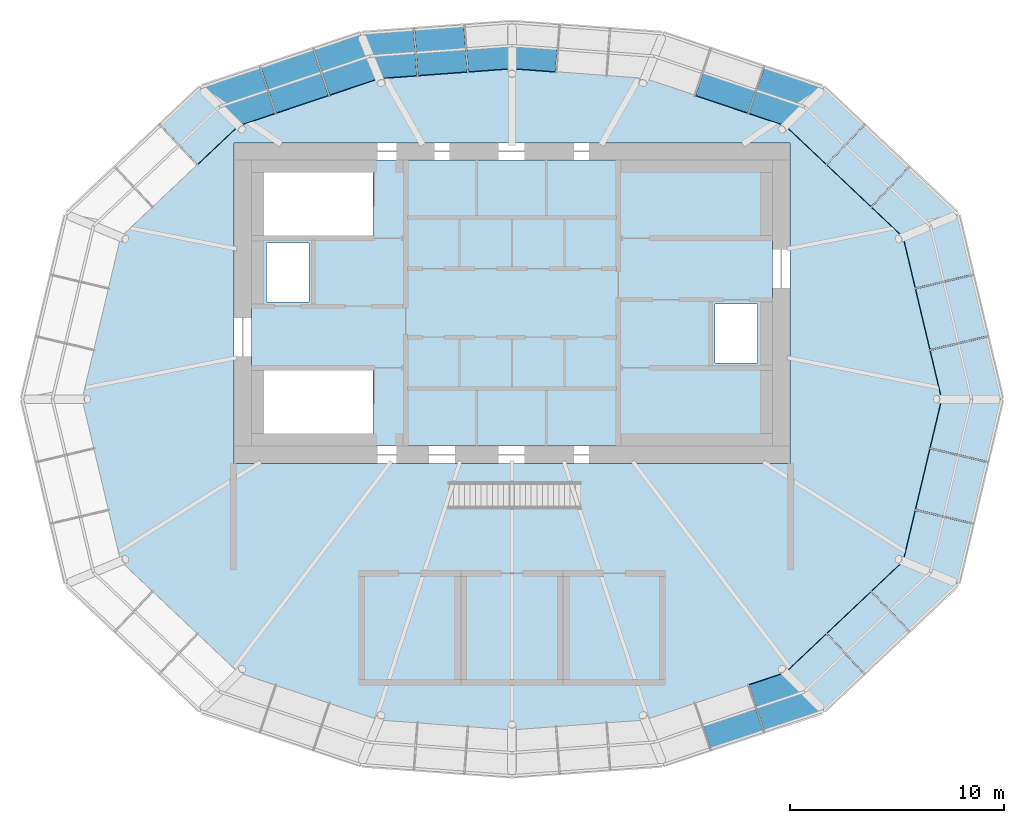
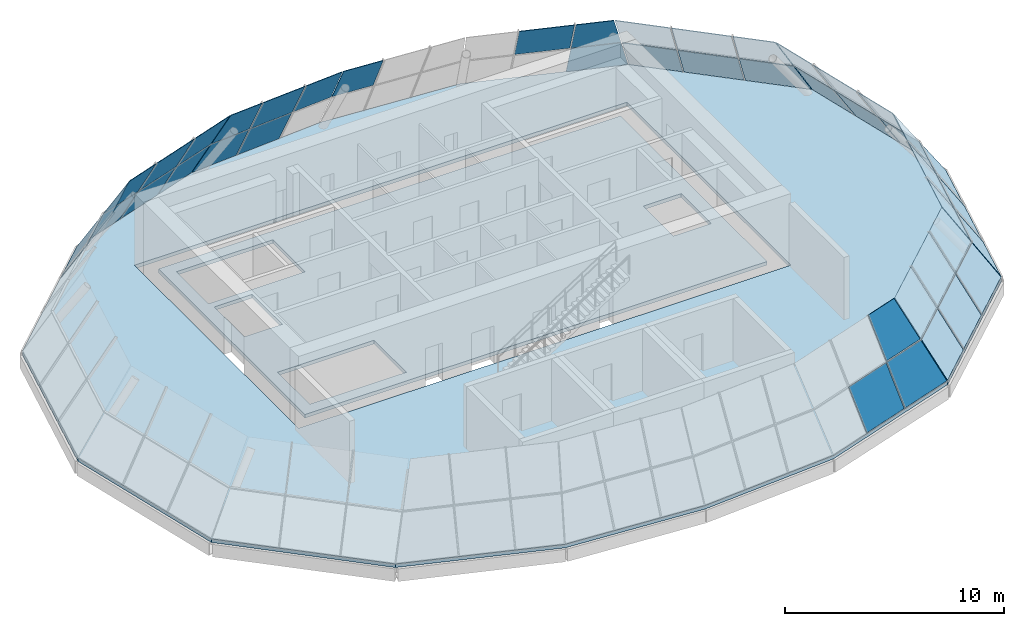
# One storey, part 4 of 8: 44 plates, 2 slabs, 10 elements without a shape of their own.
"""IFC4 building model written with IfcOpenShell, lengths in metres."""

import ifcopenshell
import ifcopenshell.guid

model = None  # the IFC model being written
_history = None  # IfcOwnerHistory: only IFC2X3 demands one
_inside = {}  # id of a spatial element -> (the spatial element, [elements in it])
_under = {}  # id of a project, library or spatial element -> (it, [spatial elements below it])
_declared = {}  # id of a project -> (the project, [libraries it declares])
_typed = {}  # id of a type object -> (the type object, [elements of that type])
_made_of = {}  # id of a material, layer set ... -> (it, [elements and type objects made of it])


def new_model(schema):
    """Start an empty IFC model of exactly this schema.

    Asked for "IFC4X3", IfcOpenShell would pick the latest addendum, in which some entities
    have other attributes; the version numbers below select the first issue.
    IFC2X3 requires an IfcOwnerHistory on every rooted entity: one is made here for all.
    """
    global model, _history
    if schema == "IFC4X3":
        model = ifcopenshell.file(schema_version=(4, 3, 0, 0))
    else:
        model = ifcopenshell.file(schema=schema)
    _inside.clear()
    _under.clear()
    _declared.clear()
    _typed.clear()
    _made_of.clear()
    _history = None
    if model.schema == "IFC2X3":
        org = make("IfcOrganization", Name="unknown")
        user = make(
            "IfcPersonAndOrganization",
            ThePerson=make("IfcPerson", FamilyName="unknown"),
            TheOrganization=org,
        )
        app = make(
            "IfcApplication",
            ApplicationDeveloper=org,
            Version="unknown",
            ApplicationFullName="unknown",
            ApplicationIdentifier="unknown",
        )
        _history = make(
            "IfcOwnerHistory",
            OwningUser=user,
            OwningApplication=app,
            ChangeAction="ADDED",
            CreationDate=0,
        )
    return model


def make(cls, **values):
    """One entity of the class cls with the attributes given. An attribute that is None is left unset."""
    return model.create_entity(
        cls, **{name: value for name, value in values.items() if value is not None}
    )


def rooted(cls, **values):
    """An entity with a GlobalId (a new one), such as an element, a storey or a relation."""
    return make(cls, GlobalId=ifcopenshell.guid.new(), OwnerHistory=_history, **values)


def si_unit(unit_type, name, prefix=None):
    """IfcSIUnit, for example si_unit("LENGTHUNIT", "METRE", prefix="MILLI")."""
    return make("IfcSIUnit", UnitType=unit_type, Prefix=prefix, Name=name)


def assignment(units):
    """IfcUnitAssignment: the units of a project."""
    return None if units is None else make("IfcUnitAssignment", Units=units)


def point(xyz):
    """IfcCartesianPoint."""
    return None if xyz is None else make("IfcCartesianPoint", Coordinates=xyz)


def direction(xyz):
    """IfcDirection."""
    return None if xyz is None else make("IfcDirection", DirectionRatios=xyz)


def frame(location, z_axis=None, x_axis=None):
    """IfcAxis2Placement3D, a coordinate frame: its origin and axes. An axis left out is left unset."""
    return make(
        "IfcAxis2Placement3D",
        Location=point(location),
        Axis=direction(z_axis),
        RefDirection=direction(x_axis),
    )


def origin():
    """The frame at (0, 0, 0) with its axes left unset."""
    return frame((0.0, 0.0, 0.0))


def place(relative_to, where):
    """IfcLocalPlacement: puts the frame where relative to a parent placement (None: the world)."""
    return make(
        "IfcLocalPlacement", PlacementRelTo=relative_to, RelativePlacement=where
    )


def context(
    kind, dimensions, precision=None, world=None, true_north=None, identifier=None
):
    """IfcGeometricRepresentationContext, for example the 3D "Model" context."""
    return make(
        "IfcGeometricRepresentationContext",
        ContextIdentifier=identifier,
        ContextType=kind,
        CoordinateSpaceDimension=dimensions,
        Precision=precision,
        WorldCoordinateSystem=world,
        TrueNorth=true_north,
    )


def subcontext(parent, identifier, kind, view, scale=None):
    """IfcGeometricRepresentationSubContext, for example "Body" below "Model"."""
    return make(
        "IfcGeometricRepresentationSubContext",
        ContextIdentifier=identifier,
        ContextType=kind,
        ParentContext=parent,
        TargetScale=scale,
        TargetView=view,
    )


def project(units=None, contexts=None):
    """IfcProject with its units and contexts."""
    return rooted(
        "IfcProject",
        Name="project",
        RepresentationContexts=contexts,
        UnitsInContext=assignment(units),
    )


def spatial(cls, under=None, at=None, **own):
    """A site, building, storey or space (cls), placed at a placement, below another one or the project."""
    s = rooted(cls, ObjectPlacement=at, **own)
    if under is not None:
        _under.setdefault(under.id(), (under, []))[1].append(s)
    return s


def polyline(points):
    """IfcPolyline through the points."""
    return make("IfcPolyline", Points=[point(p) for p in points])


def outline(outer, holes=None, kind="AREA"):
    """IfcArbitraryClosedProfileDef: a profile drawn as a closed curve; with holes, ...WithVoids."""
    if holes is None:
        return make("IfcArbitraryClosedProfileDef", ProfileType=kind, OuterCurve=outer)
    return make(
        "IfcArbitraryProfileDefWithVoids",
        ProfileType=kind,
        OuterCurve=outer,
        InnerCurves=holes,
    )


def extrude(swept, where, along, depth):
    """IfcExtrudedAreaSolid: the profile swept, set in the frame where, extruded along a direction by depth."""
    return make(
        "IfcExtrudedAreaSolid",
        SweptArea=swept,
        Position=where,
        ExtrudedDirection=direction(along),
        Depth=depth,
    )


def shape(context_of_items, identifier, shape_type, items):
    """IfcShapeRepresentation: the items that make up one representation, for example the "Body"."""
    return make(
        "IfcShapeRepresentation",
        ContextOfItems=context_of_items,
        RepresentationIdentifier=identifier,
        RepresentationType=shape_type,
        Items=items,
    )


def material(Name=None, Category=None):
    """IfcMaterial."""
    return make("IfcMaterial", Name=Name, Category=Category)


def layer(
    of_material, thickness, ventilated=None, Name=None, Category=None, Priority=None
):
    """IfcMaterialLayer: one layer of a wall or slab, of a material (None: an air gap)."""
    return make(
        "IfcMaterialLayer",
        Material=of_material,
        LayerThickness=thickness,
        IsVentilated=ventilated,
        Name=Name,
        Category=Category,
        Priority=Priority,
    )


def layer_set(layers, Name=None):
    """IfcMaterialLayerSet."""
    return make("IfcMaterialLayerSet", MaterialLayers=layers, LayerSetName=Name)


def made_of(thing, what):
    """Note that an element or type object is made of a material, layer set ...; save() writes the relation."""
    if what is not None:
        _made_of.setdefault(what.id(), (what, []))[1].append(thing)
    return thing


def type_object(cls, material=None, **own):
    """A type object (cls), such as IfcWallType, which elements share."""
    return made_of(rooted(cls, **own), material)


def element(
    cls,
    number,
    at=None,
    inside=None,
    cuts=None,
    type_object=None,
    material=None,
    context=None,
    identifier="Body",
    shape_type=None,
    held_by="IfcProductDefinitionShape",
    body=None,
    shapes=None,
    **own,
):
    """One element of the class cls, such as IfcWall. Its Tag is "e" and its number.

    at: its placement. inside: the storey or other place that contains it. cuts: it is an
    opening in that element (IfcRelVoidsElement). A single representation is given by context,
    identifier, shape_type and body (its items); several are given by shapes. held_by: the class
    of the entity that holds the representations. save() writes the other relations.
    """
    e = rooted(cls, Tag="e%d" % number, ObjectPlacement=at, **own)
    if body is not None:
        shapes = [shape(context, identifier, shape_type, body)]
    if shapes is not None:
        e.Representation = make(held_by, Representations=shapes)
    if inside is not None:
        _inside.setdefault(inside.id(), (inside, []))[1].append(e)
    if cuts is not None:
        rooted(
            "IfcRelVoidsElement", RelatingBuildingElement=cuts, RelatedOpeningElement=e
        )
    if type_object is not None:
        _typed.setdefault(type_object.id(), (type_object, []))[1].append(e)
    return made_of(e, material)


def aggregate(whole, parts):
    """IfcRelAggregates: a whole, such as a stair, and the parts it consists of."""
    return rooted("IfcRelAggregates", RelatingObject=whole, RelatedObjects=parts)


def save(model, path):
    """Write the relations noted so far, then the file.

    IfcRelAggregates (storeys below a building ...), IfcRelContainedInSpatialStructure (elements
    in a storey), IfcRelDefinesByType, IfcRelAssociatesMaterial and IfcRelDeclares: one each for
    every whole, place, type object, material and project.
    """
    for whole, parts in _under.values():
        aggregate(whole, parts)
    for where, things in _inside.values():
        rooted(
            "IfcRelContainedInSpatialStructure",
            RelatedElements=things,
            RelatingStructure=where,
        )
    for kind, things in _typed.values():
        rooted("IfcRelDefinesByType", RelatedObjects=things, RelatingType=kind)
    for what, things in _made_of.values():
        rooted("IfcRelAssociatesMaterial", RelatedObjects=things, RelatingMaterial=what)
    for by, libraries in _declared.values():
        rooted("IfcRelDeclares", RelatingContext=by, RelatedDefinitions=libraries)
    model.write(path)


model = new_model("IFC4")

# Units and contexts
model_context = context("Model", 3, precision=1e-05, world=origin(), true_north=direction((0.0, 1.0)))
body_context = subcontext(model_context, "Body", "Model", "MODEL_VIEW")
ifc_project = project(units=[si_unit("LENGTHUNIT", "METRE"), si_unit("AREAUNIT", "SQUARE_METRE"), si_unit("VOLUMEUNIT", "CUBIC_METRE"), si_unit("PLANEANGLEUNIT", "RADIAN"), si_unit("MASSUNIT", "GRAM", prefix="KILO")], contexts=[model_context])

# Site, building, storey
site_placement = place(None, origin())
site = spatial("IfcSite", under=ifc_project, at=site_placement, CompositionType="ELEMENT")
building_placement = place(site_placement, origin())
building = spatial("IfcBuilding", under=site, at=building_placement, Name="Rubra Terraces Tower", CompositionType="ELEMENT")
storey_placement = place(building_placement, frame((0.0, 0.0, 316.199951171875)))
storey = spatial("IfcBuildingStorey", under=building, at=storey_placement, Name="L78", CompositionType="ELEMENT", Elevation=316.199951171875)

# Slab
ifc_material_1 = material(Name="Concrete C40", Category="concrete")
ifc_layer_1 = layer(ifc_material_1, 0.199951171875)
ifc_layer_set_1 = layer_set([ifc_layer_1], Name="Concrete C40")
slab_type_1 = type_object("IfcSlabType", Name="Core floor slab 200 concrete", PredefinedType="FLOOR", material=ifc_layer_set_1)
slab_1_placement = place(storey_placement, frame((0.0, 0.0, -0.199951171875)))
element("IfcSlab", 1, at=slab_1_placement, inside=storey, type_object=slab_type_1, Name="CORE FLOOR SLAB L78", PredefinedType="FLOOR", context=body_context, shape_type="SweptSolid", body=[
    extrude(outline(polyline([(-12.199951171875, -2.199951171875), (-12.199951171875, 11.199951171875), (12.199951171875, 11.199951171875), (12.199951171875, -2.199951171875), (-12.199951171875, -2.199951171875)]), holes=[polyline([(11.5, 4.449951171875), (9.5, 4.449951171875), (9.5, 1.699951171875), (11.5, 1.699951171875), (11.5, 4.449951171875)]), polyline([(-6.501953125, -1.597900390625), (-6.501953125, 1.347900390625), (-11.597900390625, 1.347900390625), (-11.597900390625, -1.597900390625), (-6.501953125, -1.597900390625)]), polyline([(-6.501953125, 7.652099609375), (-6.501953125, 10.597900390625), (-11.597900390625, 10.597900390625), (-11.597900390625, 7.652099609375), (-6.501953125, 7.652099609375)]), polyline([(-11.5, 7.300048828125), (-11.5, 4.550048828125), (-9.5, 4.550048828125), (-9.5, 7.300048828125), (-11.5, 7.300048828125)])]), origin(), (0.0, 0.0, 1.0), 0.199951171875),
])

# Curtain wall, plates
ifc_material_2 = material(Name="Aluminium and glass", Category="aluminium")
curtain_wall_type = type_object("IfcCurtainWallType", Name="Curtain wall Crown glazing", PredefinedType="NOTDEFINED", material=ifc_material_2)
curtain_wall_1_placement = place(storey_placement, origin())
curtain_wall_1 = element("IfcCurtainWall", 2, at=curtain_wall_1_placement, inside=storey, type_object=curtain_wall_type, Name="Crown glazing L78 facet 1", PredefinedType="NOTDEFINED")
ifc_material_3 = material(Name="Clear glass, laminated", Category="glass")
ifc_layer_2 = layer(ifc_material_3, 0.028076171875)
ifc_layer_set_2 = layer_set([ifc_layer_2], Name="Clear glass, laminated")
plate_type = type_object("IfcPlateType", Name="Crown glazing glass panel 28", PredefinedType="CURTAIN_PANEL", material=ifc_layer_set_2)
plate_1_placement = place(storey_placement, frame((22.893310546875, 0.029296875, 0.02490234375), z_axis=(0.814993880603, 0.193534940311, 0.546195204536), x_axis=(-0.231038288967, 0.972944658744, -7.313802e-06)))
plate_1 = element("IfcPlate", 3, at=plate_1_placement, type_object=plate_type, Name="Crown glazing L78 facet 1 panel 1.1", PredefinedType="CURTAIN_PANEL", context=body_context, shape_type="SweptSolid", body=[
    extrude(outline(polyline([(0.0, 0.0), (2.9494187947703185, -5.551115123125783e-17), (2.9494518975524993, 2.4476752149922545), (0.31743702856361616, 2.44762648209279), (0.0, 0.0)])), origin(), (0.0, 0.0, -1.0), 0.028076171875),
])
plate_2_placement = place(storey_placement, frame((21.48583984375, 0.029296875, 2.125), z_axis=(0.81496875628, 0.193508941876, 0.546241902184), x_axis=(-0.231015482675, 0.972950074108, -7.576756e-06)))
plate_2 = element("IfcPlate", 4, at=plate_2_placement, type_object=plate_type, Name="Crown glazing L78 facet 1 panel 1.2", PredefinedType="CURTAIN_PANEL", context=body_context, shape_type="SweptSolid", body=[
    extrude(outline(polyline([(0.0, 0.0), (2.624200028931866, -5.551115123125783e-17), (2.62420125596323, 2.447470714719079), (0.3174051548998437, 2.447426111410534), (0.0, 0.0)])), origin(), (0.0, 0.0, -1.0), 0.028076171875),
])
plate_3_placement = place(storey_placement, frame((22.1982421875, 2.957275390625, 0.02490234375), z_axis=(0.814998133201, 0.193501697499, 0.546200637078), x_axis=(-0.231007041869, 0.972952078258, 4.44736e-06)))
plate_3 = element("IfcPlate", 5, at=plate_3_placement, type_object=plate_type, Name="Crown glazing L78 facet 1 panel 2.1", PredefinedType="CURTAIN_PANEL", context=body_context, shape_type="SweptSolid", body=[
    extrude(outline(polyline([(0.0, 0.0), (2.900979811199871, 1.1102230246251565e-16), (2.9012316278728068, 2.4476444097594596), (1.4279544454656229e-05, 2.4476752153790957), (0.0, 0.0)])), origin(), (0.0, 0.0, -1.0), 0.028076171875),
])
plate_4_placement = place(storey_placement, frame((20.86572265625, 2.640869140625, 2.125), z_axis=(0.814965928641, 0.193485683629, 0.546254359603), x_axis=(-0.230994763612, 0.972954993401, 0.0)))
plate_4 = element("IfcPlate", 6, at=plate_4_placement, type_object=plate_type, Name="Crown glazing L78 facet 1 panel 2.2", PredefinedType="CURTAIN_PANEL", context=body_context, shape_type="SweptSolid", body=[
    extrude(outline(polyline([(0.0, 0.0), (2.901217348588058, 0.0), (2.901205638108132, 2.4474707149620425), (-1.1710479926152484e-05, 2.4474707149620425), (0.0, 0.0)])), origin(), (0.0, 0.0, -1.0), 0.028076171875),
])
plate_5_placement = place(storey_placement, frame((21.51416015625, 5.83837890625, 0.02490234375), z_axis=(0.814996844383, 0.193490339836, 0.546206583662), x_axis=(-0.230998242864, 0.972954167311, 1.0264458e-05)))
plate_5 = element("IfcPlate", 7, at=plate_5_placement, type_object=plate_type, Name="Crown glazing L78 facet 1 panel 3.1", PredefinedType="CURTAIN_PANEL", context=body_context, shape_type="SweptSolid", body=[
    extrude(outline(polyline([(0.0, 0.0), (2.8460264730657436, -5.551115123125783e-17), (2.630728499469276, 2.4476389072607625), (-0.00022342209987948216, 2.447706021425159), (0.0, 0.0)])), origin(), (0.0, 0.0, -1.0), 0.028076171875),
])
plate_6_placement = place(storey_placement, frame((20.181884765625, 5.52197265625, 2.125), z_axis=(0.814956849735, 0.193546160347, 0.546246479974), x_axis=(-0.231068585799, 0.972937463886, 4.789711e-06)))
plate_6 = element("IfcPlate", 8, at=plate_6_placement, type_object=plate_type, Name="Crown glazing L78 facet 1 panel 3.2", PredefinedType="CURTAIN_PANEL", context=body_context, shape_type="SweptSolid", body=[
    extrude(outline(polyline([(0.0, 0.0), (2.625500517664805, 0.0), (2.410287972989275, 2.447441917739246), (9.954895670150342e-05, 2.447470712857248), (0.0, 0.0)])), origin(), (0.0, 0.0, -1.0), 0.028076171875),
])
aggregate(curtain_wall_1, [plate_1, plate_2, plate_3, plate_4, plate_5, plate_6])

curtain_wall_2_placement = place(storey_placement, origin())
curtain_wall_2 = element("IfcCurtainWall", 9, at=curtain_wall_2_placement, inside=storey, type_object=curtain_wall_type, Name="Crown glazing L78 facet 2", PredefinedType="NOTDEFINED")
plate_7_placement = place(storey_placement, frame((20.827880859375, 8.6572265625, 0.025146484375), z_axis=(0.588333119316, 0.622237186572, 0.516415553952), x_axis=(-0.726622289333, 0.687037152257, -7.952206e-06)))
plate_7 = element("IfcPlate", 10, at=plate_7_placement, type_object=plate_type, Name="Crown glazing L78 facet 2 panel 1.1", PredefinedType="CURTAIN_PANEL", context=body_context, shape_type="SweptSolid", body=[
    extrude(outline(polyline([(0.0, 0.0), (3.116045873880555, 1.1102230246251565e-16), (3.1161050766925373, 2.393715075626134), (0.5528725511675674, 2.393662336188252), (0.0, 0.0)])), origin(), (0.0, 0.0, -1.0), 0.028076171875),
])
plate_8_placement = place(storey_placement, frame((19.54638671875, 8.126220703125, 2.125), z_axis=(0.588303138601, 0.622238398589, 0.516448247585), x_axis=(-0.726645205468, 0.687012914987, 3.56085e-06)))
plate_8 = element("IfcPlate", 11, at=plate_8_placement, type_object=plate_type, Name="Crown glazing L78 facet 2 panel 1.2", PredefinedType="CURTAIN_PANEL", context=body_context, shape_type="SweptSolid", body=[
    extrude(outline(polyline([(0.0, 0.0), (2.5497627268852217, 0.0), (2.549719036242621, 2.3940157556394435), (0.5529470573844225, 2.394034661606713), (0.0, 0.0)])), origin(), (0.0, 0.0, -1.0), 0.028076171875),
])
plate_9_placement = place(storey_placement, frame((18.520263671875, 10.83935546875, 0.025146484375), z_axis=(0.588311902539, 0.622243000809, 0.516432719022), x_axis=(-0.726641157579, 0.687017196373, 0.0)))
plate_9 = element("IfcPlate", 12, at=plate_9_placement, type_object=plate_type, Name="Crown glazing L78 facet 2 panel 2.1", PredefinedType="CURTAIN_PANEL", context=body_context, shape_type="SweptSolid", body=[
    extrude(outline(polyline([(0.0, 0.0), (2.821939120826223, 0.0), (2.8220485743813852, 2.39371507433678), (0.00010945355516234212, 2.3937150743367805), (0.0, 0.0)])), origin(), (0.0, 0.0, -1.0), 0.028076171875),
])
plate_10_placement = place(storey_placement, frame((17.650146484375, 9.919189453125, 2.125), z_axis=(0.588330588085, 0.622262764051, 0.516387617589), x_axis=(-0.726641157579, 0.687017196373, 0.0)))
plate_10 = element("IfcPlate", 13, at=plate_10_placement, type_object=plate_type, Name="Crown glazing L78 facet 2 panel 2.2", PredefinedType="CURTAIN_PANEL", context=body_context, shape_type="SweptSolid", body=[
    extrude(outline(polyline([(0.0, 0.0), (2.821939120826223, 1.1102230246251565e-16), (2.8220485743813852, 2.3939241420535557), (0.00010945355516234212, 2.3939241420535557), (0.0, 0.0)])), origin(), (0.0, 0.0, -1.0), 0.028076171875),
])
plate_11_placement = place(storey_placement, frame((16.42626953125, 12.8193359375, 0.025146484375), z_axis=(0.588310108662, 0.622236032768, 0.516443158122), x_axis=(-0.726635886422, 0.687022771477, -5.976351e-06)))
plate_11 = element("IfcPlate", 14, at=plate_11_placement, type_object=plate_type, Name="Crown glazing L78 facet 2 panel 3.1", PredefinedType="CURTAIN_PANEL", context=body_context, shape_type="SweptSolid", body=[
    extrude(outline(polyline([(0.0, 0.0), (2.5216103305659687, 0.0), (2.556240213448923, 2.393750513257208), (8.771854341771881e-05, 2.393715075054084), (0.0, 0.0)])), origin(), (0.0, 0.0, -1.0), 0.028076171875),
])
plate_12_placement = place(storey_placement, frame((15.55615234375, 11.899169921875, 2.125), z_axis=(0.588317037962, 0.622266996113, 0.51639795545), x_axis=(-0.72664897104, 0.687008932149, -5.837032e-06)))
plate_12 = element("IfcPlate", 15, at=plate_12_placement, type_object=plate_type, Name="Crown glazing L78 facet 2 panel 3.2", PredefinedType="CURTAIN_PANEL", context=body_context, shape_type="SweptSolid", body=[
    extrude(outline(polyline([(0.0, 0.0), (2.5568427579165243, 0.0), (2.591496470257218, 2.393959233058197), (0.00011154670700981364, 2.3939241417824837), (0.0, 0.0)])), origin(), (0.0, 0.0, -1.0), 0.028076171875),
])
aggregate(curtain_wall_2, [plate_7, plate_8, plate_9, plate_10, plate_11, plate_12])

curtain_wall_3_placement = place(storey_placement, origin())
curtain_wall_3 = element("IfcCurtainWall", 16, at=curtain_wall_3_placement, inside=storey, type_object=curtain_wall_type, Name="Crown glazing L78 facet 3", PredefinedType="NOTDEFINED")
plate_13_placement = place(storey_placement, frame((14.543701171875, 14.58154296875, 0.025634765625), z_axis=(0.28026435084, 0.834059481828, 0.475180675556), x_axis=(-0.947914519436, 0.318524824503, -4.214466e-06)))
plate_13 = element("IfcPlate", 17, at=plate_13_placement, type_object=plate_type, Name="Crown glazing L78 facet 3 panel 1.1", PredefinedType="CURTAIN_PANEL", context=body_context, shape_type="SweptSolid", body=[
    extrude(outline(polyline([(0.0, 0.0), (2.8910683883531125, -5.551115123125783e-17), (2.8911588551991443, 2.3285233310681424), (0.5502482396752404, 2.3284982710691158), (0.0, 0.0)])), origin(), (0.0, 0.0, -1.0), 0.028076171875),
])
plate_14_placement = place(storey_placement, frame((13.647705078125, 13.68603515625, 2.125732421875), z_axis=(0.2802865017, 0.834002823172, 0.475267049042), x_axis=(-0.947904162786, 0.318555643269, 1.7749832e-05)))
plate_14 = element("IfcPlate", 18, at=plate_14_placement, type_object=plate_type, Name="Crown glazing L78 facet 3 panel 1.2", PredefinedType="CURTAIN_PANEL", context=body_context, shape_type="SweptSolid", body=[
    extrude(outline(polyline([(0.0, 0.0), (2.327013926692697, 0.0), (2.3271134155657562, 2.3283085169208686), (0.5501794908100914, 2.3283913095361637), (0.0, 0.0)])), origin(), (0.0, 0.0, -1.0), 0.028076171875),
])
plate_15_placement = place(storey_placement, frame((11.385009765625, 14.4462890625, 2.125732421875), z_axis=(0.280310539788, 0.834013458554, 0.47523420777), x_axis=(-0.947894085169, 0.318585629465, 0.0)))
plate_15 = element("IfcPlate", 19, at=plate_15_placement, type_object=plate_type, Name="Crown glazing L78 facet 3 panel 2.2", PredefinedType="CURTAIN_PANEL", context=body_context, shape_type="SweptSolid", body=[
    extrude(outline(polyline([(0.0, 0.0), (2.577156173850558, 5.551115123125783e-17), (2.5771842975819723, 2.328308520498562), (2.812373141453106e-05, 2.328308520498562), (0.0, 0.0)])), origin(), (0.0, 0.0, -1.0), 0.028076171875),
])
aggregate(curtain_wall_3, [plate_13, plate_14, plate_15])

# Curtain wall, plate
curtain_wall_4_placement = place(storey_placement, origin())
curtain_wall_4 = element("IfcCurtainWall", 20, at=curtain_wall_4_placement, inside=storey, type_object=curtain_wall_type, Name="Crown glazing L78 facet 4", PredefinedType="NOTDEFINED")
plate_16_placement = place(storey_placement, frame((2.11279296875, 16.3759765625, 2.12646484375), z_axis=(0.065838309736, 0.886883876285, 0.457277057108), x_axis=(-0.99725655986, 0.074022655284, 1.790342e-05)))
plate_16 = element("IfcPlate", 21, at=plate_16_placement, type_object=plate_type, Name="Crown glazing L78 facet 4 panel 3.2", PredefinedType="CURTAIN_PANEL", context=body_context, shape_type="SweptSolid", body=[
    extrude(outline(polyline([(0.0, 0.0), (2.088732741582491, -1.3877787807814457e-17), (2.0104009361189767, 2.3018410389454806), (-5.4821659572415194e-06, 2.3019235607094806), (0.0, 0.0)])), origin(), (0.0, 0.0, -1.0), 0.028076171875),
])
aggregate(curtain_wall_4, [plate_16])

# Curtain wall, plates
curtain_wall_5_placement = place(storey_placement, origin())
curtain_wall_5 = element("IfcCurtainWall", 22, at=curtain_wall_5_placement, inside=storey, type_object=curtain_wall_type, Name="Crown glazing L78 facet 5", PredefinedType="NOTDEFINED")
plate_17_placement = place(storey_placement, frame((-0.02978515625, 16.530517578125, 2.126708984375), z_axis=(-0.065838210362, 0.886882537656, 0.457279667662), x_axis=(-0.997254755076, -0.07404696218, 2.9499178e-05)))
plate_17 = element("IfcPlate", 23, at=plate_17_placement, type_object=plate_type, Name="Crown glazing L78 facet 5 panel 1.2", PredefinedType="CURTAIN_PANEL", context=body_context, shape_type="SweptSolid", body=[
    extrude(outline(polyline([(0.0, 0.0), (2.0887508164869715, 1.3877787807814457e-17), (2.0888428253228852, 2.3012666504789157), (0.07845448336687609, 2.3014026204739975), (0.0, 0.0)])), origin(), (0.0, 0.0, -1.0), 0.028076171875),
])
plate_18_placement = place(storey_placement, frame((-2.252685546875, 17.447998046875, 0.02685546875), z_axis=(-0.065855531889, 0.886885855889, 0.457270737686), x_axis=(-0.997254460847, -0.074050930582, 0.0)))
plate_18 = element("IfcPlate", 24, at=plate_18_placement, type_object=plate_type, Name="Crown glazing L78 facet 5 panel 2.1", PredefinedType="CURTAIN_PANEL", context=body_context, shape_type="SweptSolid", body=[
    extrude(outline(polyline([(0.0, 0.0), (2.3078499643103942, 1.3877787807814457e-17), (2.3078857862414477, 2.3010495322951185), (3.582193105354514e-05, 2.3010495322951185), (0.0, 0.0)])), origin(), (0.0, 0.0, -1.0), 0.028076171875),
])
plate_19_placement = place(storey_placement, frame((-2.172607421875, 16.371337890625, 2.126708984375), z_axis=(-0.065902363095, 0.886883050525, 0.457269431768), x_axis=(-0.997251370441, -0.074092534673, -2.1450677e-05)))
plate_19 = element("IfcPlate", 25, at=plate_19_placement, type_object=plate_type, Name="Crown glazing L78 facet 5 panel 2.2", PredefinedType="CURTAIN_PANEL", context=body_context, shape_type="SweptSolid", body=[
    extrude(outline(polyline([(0.0, 0.0), (2.307849961771087, 1.3877787807814457e-17), (2.307903867621288, 2.30137798497619), (3.5816852478414754e-05, 2.3012666534378257), (0.0, 0.0)])), origin(), (0.0, 0.0, -1.0), 0.028076171875),
])
plate_20_placement = place(storey_placement, frame((-4.614013671875, 17.272705078125, 0.02685546875), z_axis=(-0.065919437112, 0.886872543163, 0.457287349481), x_axis=(-0.997249376388, -0.074119371483, -8.051976e-06)))
plate_20 = element("IfcPlate", 26, at=plate_20_placement, type_object=plate_type, Name="Crown glazing L78 facet 5 panel 3.1", PredefinedType="CURTAIN_PANEL", context=body_context, shape_type="SweptSolid", body=[
    extrude(outline(polyline([(0.0, 0.0), (2.4412825282249555, 0.0), (2.094234888132307, 2.301090594513761), (9.155661726605715e-05, 2.3010495303509546), (0.0, 0.0)])), origin(), (0.0, 0.0, -1.0), 0.028076171875),
])
plate_21_placement = place(storey_placement, frame((-4.5341796875, 16.19580078125, 2.126708984375), z_axis=(-0.06582092802, 0.886907189723, 0.457234340631), x_axis=(-0.997257610575, -0.074008500432, -3.827949e-06)))
plate_21 = element("IfcPlate", 27, at=plate_21_placement, type_object=plate_type, Name="Crown glazing L78 facet 5 panel 3.2", PredefinedType="CURTAIN_PANEL", context=body_context, shape_type="SweptSolid", body=[
    extrude(outline(polyline([(0.0, 0.0), (2.085062607797294, 0.0), (1.7381500933100684, 2.3012831121848514), (-1.678042235590833e-05, 2.3012666561357373), (0.0, 0.0)])), origin(), (0.0, 0.0, -1.0), 0.028076171875),
])
aggregate(curtain_wall_5, [plate_17, plate_18, plate_19, plate_20, plate_21])

curtain_wall_6_placement = place(storey_placement, origin())
curtain_wall_6 = element("IfcCurtainWall", 28, at=curtain_wall_6_placement, inside=storey, type_object=curtain_wall_type, Name="Crown glazing L78 facet 6", PredefinedType="NOTDEFINED")
plate_22_placement = place(storey_placement, frame((-7.10693359375, 17.080078125, 0.0263671875), z_axis=(-0.280230049275, 0.834044745853, 0.475226768394), x_axis=(-0.947929810806, -0.318479313462, -2.6133913e-05)))
plate_22 = element("IfcPlate", 29, at=plate_22_placement, type_object=plate_type, Name="Crown glazing L78 facet 6 panel 1.1", PredefinedType="CURTAIN_PANEL", context=body_context, shape_type="SweptSolid", body=[
    extrude(outline(polyline([(0.0, 0.0), (2.2571435451005173, -5.551115123125783e-17), (2.257013734558742, 2.3269775489087596), (-0.07594506828665429, 2.326841212585678), (0.0, 0.0)])), origin(), (0.0, 0.0, -1.0), 0.028076171875),
])
plate_23_placement = place(storey_placement, frame((-6.671875, 16.02978515625, 2.12646484375), z_axis=(-0.280296931085, 0.834011230277, 0.475246144851), x_axis=(-0.94789798376, -0.318574029662, 2.99336e-06)))
plate_23 = element("IfcPlate", 30, at=plate_23_placement, type_object=plate_type, Name="Crown glazing L78 facet 6 panel 1.2", PredefinedType="CURTAIN_PANEL", context=body_context, shape_type="SweptSolid", body=[
    extrude(outline(polyline([(0.0, 0.0), (2.3350435032096564, -5.551115123125783e-17), (2.335006056456541, 2.3266527650645843), (-0.07600637598790258, 2.3266689116905863), (0.0, 0.0)])), origin(), (0.0, 0.0, -1.0), 0.028076171875),
])
plate_24_placement = place(storey_placement, frame((-9.303466796875, 16.34228515625, 0.0263671875), z_axis=(-0.280298091659, 0.834017072727, 0.475235207252), x_axis=(-0.947895543532, -0.318581289782, 1.8775515e-05)))
plate_24 = element("IfcPlate", 31, at=plate_24_placement, type_object=plate_type, Name="Crown glazing L78 facet 6 panel 2.1", PredefinedType="CURTAIN_PANEL", context=body_context, shape_type="SweptSolid", body=[
    extrude(outline(polyline([(0.0, 0.0), (2.5769247535588673, 5.551115123125783e-17), (2.5769280883220773, 2.3268675746424914), (8.111339841106581e-05, 2.3269775521992155), (0.0, 0.0)])), origin(), (0.0, 0.0, -1.0), 0.028076171875),
])
plate_25_placement = place(storey_placement, frame((-8.942138671875, 15.266845703125, 2.12646484375), z_axis=(-0.28026537205, 0.834003066984, 0.475279081689), x_axis=(-0.947911618973, -0.318533455484, -1.8775814e-05)))
plate_25 = element("IfcPlate", 32, at=plate_25_placement, type_object=plate_type, Name="Crown glazing L78 facet 6 panel 2.2", PredefinedType="CURTAIN_PANEL", context=body_context, shape_type="SweptSolid", body=[
    extrude(outline(polyline([(0.0, 0.0), (2.577078402535566, 1.1102230246251565e-16), (2.577026829408008, 2.326762751735009), (-0.00012934008446324982, 2.3266527595899893), (0.0, 0.0)])), origin(), (0.0, 0.0, -1.0), 0.028076171875),
])
plate_26_placement = place(storey_placement, frame((-11.802978515625, 15.502197265625, 0.0263671875), z_axis=(-0.280297284244, 0.834035305718, 0.475203683973), x_axis=(-0.947901676188, -0.318563042852, -3.031818e-06)))
plate_26 = element("IfcPlate", 33, at=plate_26_placement, type_object=plate_type, Name="Crown glazing L78 facet 6 panel 3.1", PredefinedType="CURTAIN_PANEL", context=body_context, shape_type="SweptSolid", body=[
    extrude(outline(polyline([(0.0, 0.0), (2.8908369656176416, -5.551115123125783e-17), (2.341157209926938, 2.3268856042300436), (-6.259780259435476e-05, 2.3268675759570234), (0.0, 0.0)])), origin(), (0.0, 0.0, -1.0), 0.028076171875),
])
plate_27_placement = place(storey_placement, frame((-11.441650390625, 14.427001953125, 2.12646484375), z_axis=(-0.280263324078, 0.833986194059, 0.475309896064), x_axis=(-0.947908836199, -0.318541736919, -9.826293e-06)))
plate_27 = element("IfcPlate", 34, at=plate_27_placement, type_object=plate_type, Name="Crown glazing L78 facet 6 panel 3.2", PredefinedType="CURTAIN_PANEL", context=body_context, shape_type="SweptSolid", body=[
    extrude(outline(polyline([(0.0, 0.0), (2.327013927818288, 0.0), (1.7773731788950917, 2.326771629675924), (0.00020783277985773107, 2.3267257919610906), (0.0, 0.0)])), origin(), (0.0, 0.0, -1.0), 0.028076171875),
])
aggregate(curtain_wall_6, [plate_22, plate_23, plate_24, plate_25, plate_26, plate_27])

curtain_wall_7_placement = place(storey_placement, origin())
curtain_wall_7 = element("IfcCurtainWall", 35, at=curtain_wall_7_placement, inside=storey, type_object=curtain_wall_type, Name="Crown glazing L78 facet 7", PredefinedType="NOTDEFINED")
plate_28_placement = place(storey_placement, frame((-14.59375, 14.551513671875, 0.025634765625), z_axis=(-0.588385239426, 0.622233141085, 0.516361044388), x_axis=(-0.726590411665, -0.687070865077, 6.176284e-06)))
plate_28 = element("IfcPlate", 36, at=plate_28_placement, type_object=plate_type, Name="Crown glazing L78 facet 7 panel 1.1", PredefinedType="CURTAIN_PANEL", context=body_context, shape_type="SweptSolid", body=[
    extrude(outline(polyline([(0.0, 0.0), (2.521432936456073, 1.1102230246251565e-16), (2.521624130625688, 2.3924357266328586), (-0.03435096557501651, 2.39247234571106), (0.0, 0.0)])), origin(), (0.0, 0.0, -1.0), 0.028076171875),
])
plate_29_placement = place(storey_placement, frame((-13.697998046875, 13.655517578125, 2.125732421875), z_axis=(-0.588292518069, 0.622241061253, 0.5164571375), x_axis=(-0.726648970485, -0.687008932736, 5.837458e-06)))
plate_29 = element("IfcPlate", 37, at=plate_29_placement, type_object=plate_type, Name="Crown glazing L78 facet 7 panel 1.2", PredefinedType="CURTAIN_PANEL", context=body_context, shape_type="SweptSolid", body=[
    extrude(outline(polyline([(0.0, 0.0), (2.556842757916538, 1.1102230246251565e-16), (2.5567505600157627, 2.392313278093047), (-0.03463436353440457, 2.3923483733904134), (0.0, 0.0)])), origin(), (0.0, 0.0, -1.0), 0.028076171875),
])
aggregate(curtain_wall_7, [plate_28, plate_29])

curtain_wall_8_placement = place(storey_placement, origin())
curtain_wall_8 = element("IfcCurtainWall", 38, at=curtain_wall_8_placement, inside=storey, type_object=curtain_wall_type, Name="Crown glazing L78 facet 14", PredefinedType="NOTDEFINED")
plate_30_placement = place(storey_placement, frame((9.303466796875, -16.34228515625, 0.0263671875), z_axis=(0.280298091659, -0.834017072727, 0.475235207252), x_axis=(0.947895543532, 0.318581289782, 1.8775515e-05)))
plate_30 = element("IfcPlate", 39, at=plate_30_placement, type_object=plate_type, Name="Crown glazing L78 facet 14 panel 2.1", PredefinedType="CURTAIN_PANEL", context=body_context, shape_type="SweptSolid", body=[
    extrude(outline(polyline([(0.0, 0.0), (2.5769247535588673, 5.551115123125783e-17), (2.5769280883220773, 2.3268675746424914), (8.111339841106581e-05, 2.3269775521992155), (0.0, 0.0)])), origin(), (0.0, 0.0, -1.0), 0.028076171875),
])
plate_31_placement = place(storey_placement, frame((11.802978515625, -15.502197265625, 0.0263671875), z_axis=(0.280297284244, -0.834035305718, 0.475203683973), x_axis=(0.947901676188, 0.318563042852, -3.031818e-06)))
plate_31 = element("IfcPlate", 40, at=plate_31_placement, type_object=plate_type, Name="Crown glazing L78 facet 14 panel 3.1", PredefinedType="CURTAIN_PANEL", context=body_context, shape_type="SweptSolid", body=[
    extrude(outline(polyline([(0.0, 0.0), (2.8908369656176416, -5.551115123125783e-17), (2.341157209926938, 2.3268856042300436), (-6.259780259435476e-05, 2.3268675759570234), (0.0, 0.0)])), origin(), (0.0, 0.0, -1.0), 0.028076171875),
])
plate_32_placement = place(storey_placement, frame((11.441650390625, -14.427001953125, 2.12646484375), z_axis=(0.280263324078, -0.833986194059, 0.475309896064), x_axis=(0.947908836199, 0.318541736919, -9.826293e-06)))
plate_32 = element("IfcPlate", 41, at=plate_32_placement, type_object=plate_type, Name="Crown glazing L78 facet 14 panel 3.2", PredefinedType="CURTAIN_PANEL", context=body_context, shape_type="SweptSolid", body=[
    extrude(outline(polyline([(0.0, 0.0), (2.327013927818288, 0.0), (1.7773731788950917, 2.326771629675924), (0.00020783277985773107, 2.3267257919610906), (0.0, 0.0)])), origin(), (0.0, 0.0, -1.0), 0.028076171875),
])
aggregate(curtain_wall_8, [plate_30, plate_31, plate_32])

curtain_wall_9_placement = place(storey_placement, origin())
curtain_wall_9 = element("IfcCurtainWall", 42, at=curtain_wall_9_placement, inside=storey, type_object=curtain_wall_type, Name="Crown glazing L78 facet 15", PredefinedType="NOTDEFINED")
plate_33_placement = place(storey_placement, frame((14.59375, -14.551513671875, 0.025634765625), z_axis=(0.588385239426, -0.622233141085, 0.516361044388), x_axis=(0.726590411665, 0.687070865077, 6.176284e-06)))
plate_33 = element("IfcPlate", 43, at=plate_33_placement, type_object=plate_type, Name="Crown glazing L78 facet 15 panel 1.1", PredefinedType="CURTAIN_PANEL", context=body_context, shape_type="SweptSolid", body=[
    extrude(outline(polyline([(0.0, 0.0), (2.521432936456073, 1.1102230246251565e-16), (2.521624130625688, 2.3924357266328586), (-0.03435096557501651, 2.39247234571106), (0.0, 0.0)])), origin(), (0.0, 0.0, -1.0), 0.028076171875),
])
plate_34_placement = place(storey_placement, frame((13.697998046875, -13.655517578125, 2.125732421875), z_axis=(0.588292518069, -0.622241061253, 0.5164571375), x_axis=(0.726648970485, 0.687008932736, 5.837458e-06)))
plate_34 = element("IfcPlate", 44, at=plate_34_placement, type_object=plate_type, Name="Crown glazing L78 facet 15 panel 1.2", PredefinedType="CURTAIN_PANEL", context=body_context, shape_type="SweptSolid", body=[
    extrude(outline(polyline([(0.0, 0.0), (2.556842757916538, 1.1102230246251565e-16), (2.5567505600157627, 2.392313278093047), (-0.03463436353440457, 2.3923483733904134), (0.0, 0.0)])), origin(), (0.0, 0.0, -1.0), 0.028076171875),
])
plate_35_placement = place(storey_placement, frame((16.469482421875, -12.77783203125, 0.025634765625), z_axis=(0.588324768553, -0.622256608875, 0.516401664811), x_axis=(0.726641157579, 0.687017196373, 0.0)))
plate_35 = element("IfcPlate", 45, at=plate_35_placement, type_object=plate_type, Name="Crown glazing L78 facet 15 panel 2.1", PredefinedType="CURTAIN_PANEL", context=body_context, shape_type="SweptSolid", body=[
    extrude(outline(polyline([(0.0, 0.0), (2.821939120826223, 0.0), (2.821849014908368, 2.3925223439939147), (-9.01059178545216e-05, 2.3925223439939147), (0.0, 0.0)])), origin(), (0.0, 0.0, -1.0), 0.028076171875),
])
plate_36_placement = place(storey_placement, frame((15.599365234375, -11.857666015625, 2.125732421875), z_axis=(0.588314363129, -0.622206426484, 0.516473980931), x_axis=(0.726625323269, 0.687033943405, -1.3900978e-05)))
plate_36 = element("IfcPlate", 46, at=plate_36_placement, type_object=plate_type, Name="Crown glazing L78 facet 15 panel 2.2", PredefinedType="CURTAIN_PANEL", context=body_context, shape_type="SweptSolid", body=[
    extrude(outline(polyline([(0.0, 0.0), (2.8219391198040804, 0.0), (2.822016744738247, 2.3924049009822292), (-9.010796217226364e-05, 2.392313277141531), (0.0, 0.0)])), origin(), (0.0, 0.0, -1.0), 0.028076171875),
])
plate_37_placement = place(storey_placement, frame((18.5634765625, -10.7978515625, 0.025634765625), z_axis=(0.588374365715, -0.622241875973, 0.516362908771), x_axis=(0.726596690096, 0.68706422525, 1.7944294e-05)))
plate_37 = element("IfcPlate", 47, at=plate_37_placement, type_object=plate_type, Name="Crown glazing L78 facet 15 panel 3.1", PredefinedType="CURTAIN_PANEL", context=body_context, shape_type="SweptSolid", body=[
    extrude(outline(polyline([(0.0, 0.0), (3.1158684810754007, -2.220446049250313e-16), (2.5636042772674315, 2.3924033365098527), (2.6624339683751824e-05, 2.39252234309226), (0.0, 0.0)])), origin(), (0.0, 0.0, -1.0), 0.028076171875),
])
plate_38_placement = place(storey_placement, frame((17.693359375, -9.877685546875, 2.125732421875), z_axis=(0.588334079404, -0.62222249023, 0.516432167534), x_axis=(0.726613494088, 0.687046454136, 8.276922e-06)))
plate_38 = element("IfcPlate", 48, at=plate_38_placement, type_object=plate_type, Name="Crown glazing L78 facet 15 panel 3.2", PredefinedType="CURTAIN_PANEL", context=body_context, shape_type="SweptSolid", body=[
    extrude(outline(polyline([(0.0, 0.0), (2.5495853275304845, 0.0), (1.997093707438992, 2.3922693329866975), (-2.3402205261171616e-05, 2.3923132795807778), (0.0, 0.0)])), origin(), (0.0, 0.0, -1.0), 0.028076171875),
])
aggregate(curtain_wall_9, [plate_33, plate_34, plate_35, plate_36, plate_37, plate_38])

curtain_wall_10_placement = place(storey_placement, origin())
curtain_wall_10 = element("IfcCurtainWall", 49, at=curtain_wall_10_placement, inside=storey, type_object=curtain_wall_type, Name="Crown glazing L78 facet 16", PredefinedType="NOTDEFINED")
plate_39_placement = place(storey_placement, frame((20.856689453125, -8.607421875, 0.025146484375), z_axis=(0.814941859399, -0.193486150252, 0.546290101923), x_axis=(0.231005273573, 0.972952498096, -5.553718e-06)))
plate_39 = element("IfcPlate", 50, at=plate_39_placement, type_object=plate_type, Name="Crown glazing L78 facet 16 panel 1.1", PredefinedType="CURTAIN_PANEL", context=body_context, shape_type="SweptSolid", body=[
    extrude(outline(polyline([(0.0, 0.0), (2.8460264734212073, 5.551115123125783e-17), (2.846012358059382, 2.4472662215006054), (0.2152979742805045, 2.4472299077235715), (0.0, 0.0)])), origin(), (0.0, 0.0, -1.0), 0.028076171875),
])
plate_40_placement = place(storey_placement, frame((19.5751953125, -8.076416015625, 2.125), z_axis=(0.814988504595, -0.193513066793, 0.546210976052), x_axis=(0.231010121289, 0.972951347004, 1.5022956e-05)))
plate_40 = element("IfcPlate", 51, at=plate_40_placement, type_object=plate_type, Name="Crown glazing L78 facet 16 panel 1.2", PredefinedType="CURTAIN_PANEL", context=body_context, shape_type="SweptSolid", body=[
    extrude(outline(polyline([(0.0, 0.0), (2.6254441125443835, -5.551115123125783e-17), (2.625521916650349, 2.4473409656147407), (0.21533349510959318, 2.4474312781552126), (0.0, 0.0)])), origin(), (0.0, 0.0, -1.0), 0.028076171875),
])
plate_41_placement = place(storey_placement, frame((21.528076171875, -5.77978515625, 0.025146484375), z_axis=(0.814969740045, -0.193459711245, 0.546257872196), x_axis=(0.230955322845, 0.972964356308, 1.4286296e-05)))
plate_41 = element("IfcPlate", 52, at=plate_41_placement, type_object=plate_type, Name="Crown glazing L78 facet 16 panel 2.1", PredefinedType="CURTAIN_PANEL", context=body_context, shape_type="SweptSolid", body=[
    extrude(outline(polyline([(0.0, 0.0), (2.9009234202053773, 0.0), (2.901074995809679, 2.447136457926498), (-0.00014235009861665186, 2.447235418542341), (0.0, 0.0)])), origin(), (0.0, 0.0, -1.0), 0.028076171875),
])
plate_42_placement = place(storey_placement, frame((20.195556640625, -5.46337890625, 2.125), z_axis=(0.81499870081, -0.193466586029, 0.546212227772), x_axis=(0.230979093438, 0.972958713336, -2.3178628e-05)))
plate_42 = element("IfcPlate", 53, at=plate_42_placement, type_object=plate_type, Name="Crown glazing L78 facet 16 panel 2.2", PredefinedType="CURTAIN_PANEL", context=body_context, shape_type="SweptSolid", body=[
    extrude(outline(polyline([(0.0, 0.0), (2.9009798086840703, 0.0), (2.9009655341712035, 2.4474707118524774), (-0.00019542188100586587, 2.447310160104968), (0.0, 0.0)])), origin(), (0.0, 0.0, -1.0), 0.028076171875),
])
plate_43_placement = place(storey_placement, frame((22.2119140625, -2.89892578125, 0.025146484375), z_axis=(0.814964574892, -0.193491341995, 0.546254375034), x_axis=(0.231009236395, 0.972951557146, -1.2158522e-05)))
plate_43 = element("IfcPlate", 54, at=plate_43_placement, type_object=plate_type, Name="Crown glazing L78 facet 16 panel 3.1", PredefinedType="CURTAIN_PANEL", context=body_context, shape_type="SweptSolid", body=[
    extrude(outline(polyline([(0.0, 0.0), (2.949418794304143, 0.0), (2.631981766622705, 2.4472174796783768), (2.3299453398322794e-05, 2.4471364628053767), (0.0, 0.0)])), origin(), (0.0, 0.0, -1.0), 0.028076171875),
])
plate_44_placement = place(storey_placement, frame((20.87939453125, -2.58251953125, 2.125), z_axis=(0.814982427057, -0.193553660734, 0.546205660905), x_axis=(0.231074642735, 0.97293602531, -1.1797404e-05)))
plate_44 = element("IfcPlate", 55, at=plate_44_placement, type_object=plate_type, Name="Crown glazing L78 facet 16 panel 3.2", PredefinedType="CURTAIN_PANEL", context=body_context, shape_type="SweptSolid", body=[
    extrude(outline(polyline([(0.0, 0.0), (2.624256436827165, 0.0), (2.3067302766430067, 2.4474104148838594), (-6.582339700356079e-05, 2.447340966375226), (0.0, 0.0)])), origin(), (0.0, 0.0, -1.0), 0.028076171875),
])
aggregate(curtain_wall_10, [plate_39, plate_40, plate_41, plate_42, plate_43, plate_44])

# Slab
ifc_layer_3 = layer(ifc_material_1, 0.199951171875)
ifc_layer_set_3 = layer_set([ifc_layer_3], Name="Concrete C40")
slab_type_2 = type_object("IfcSlabType", Name="FLOOR SLAB 200 COMPOSITE", PredefinedType="FLOOR", material=ifc_layer_set_3)
slab_2_placement = place(storey_placement, frame((0.0, 0.0, -0.199951171875)))
element("IfcSlab", 56, at=slab_2_placement, inside=storey, type_object=slab_type_2, Name="FLOOR SLAB L78", PredefinedType="FLOOR", context=body_context, shape_type="SweptSolid", body=[
    extrude(outline(polyline([(20.864990234375, -8.64306640625), (22.9169921875, 0.0), (20.864990234375, 8.64306640625), (14.5830078125, 14.5830078125), (7.083984375, 17.10302734375), (0.0, 17.62890625), (-7.083984375, 17.10302734375), (-14.5830078125, 14.5830078125), (-20.864990234375, 8.64306640625), (-22.9169921875, 0.0), (-20.864990234375, -8.64306640625), (-14.5830078125, -14.5830078125), (-7.083984375, -17.10302734375), (0.0, -17.62890625), (7.083984375, -17.10302734375), (14.5830078125, -14.5830078125), (20.864990234375, -8.64306640625)]), holes=[polyline([(13.0, 12.0), (13.0, -3.0), (-13.0, -3.0), (-13.0, 12.0), (13.0, 12.0)])]), origin(), (0.0, 0.0, 1.0), 0.199951171875),
])

save(model, "model.ifc")
